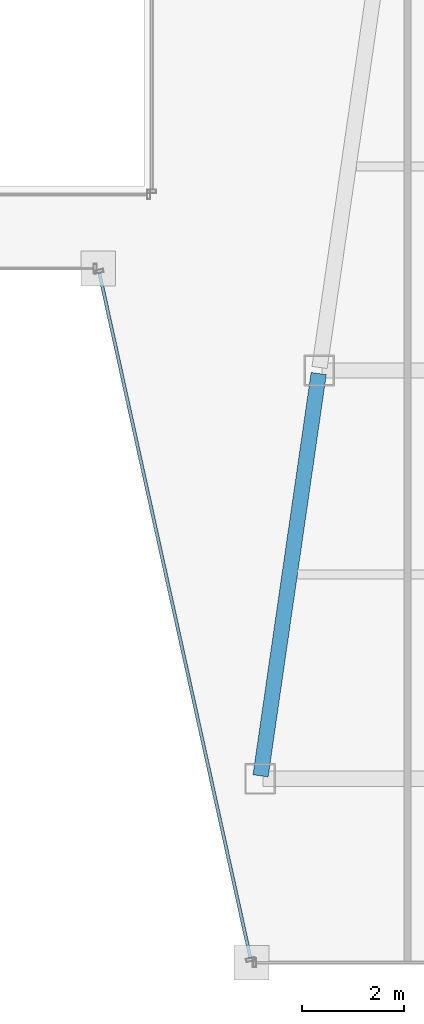
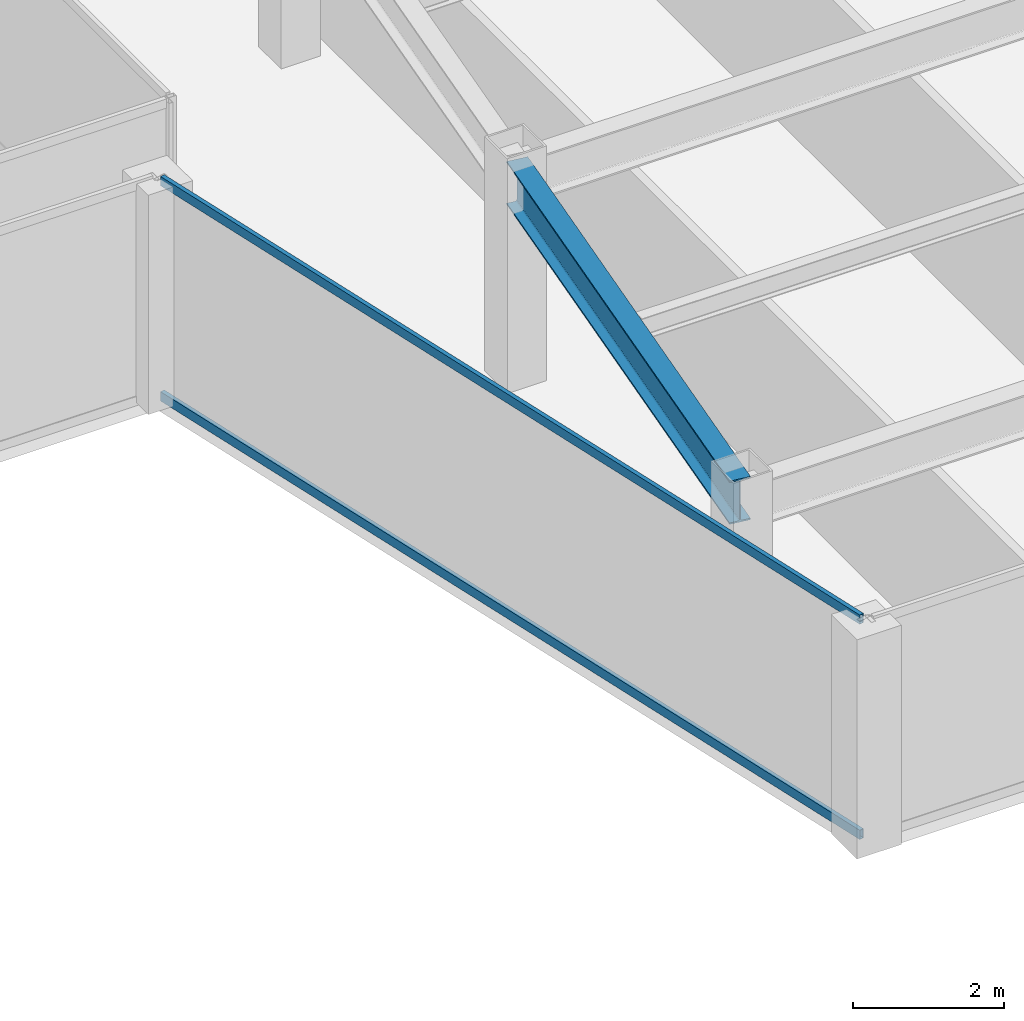
# One storey, part 15 of 36: 2 members, 1 beam, 1 element without a shape of its own.
"""IFC4 building model written with IfcOpenShell, lengths in metres."""

from ifc_helpers import new_model, si_unit, direction, frame, origin, origin_2d, place, context, subcontext, project, spatial, hollow_rectangle, i_section, extrude, material, material_profile, profile_set, type_object, element, aggregate, save


model = new_model("IFC4")

# Units and contexts
model_context = context("Model", 3, precision=1e-05, world=origin(), true_north=direction((0.0, 1.0)))
body_context = subcontext(model_context, "Body", "Model", "MODEL_VIEW")
ifc_project = project(units=[si_unit("LENGTHUNIT", "METRE"), si_unit("AREAUNIT", "SQUARE_METRE"), si_unit("VOLUMEUNIT", "CUBIC_METRE"), si_unit("PLANEANGLEUNIT", "RADIAN"), si_unit("MASSUNIT", "GRAM", prefix="KILO")], contexts=[model_context])

# Site, building, storey
site_placement = place(None, origin())
site = spatial("IfcSite", under=ifc_project, at=site_placement, CompositionType="ELEMENT")
building_placement = place(site_placement, origin())
building = spatial("IfcBuilding", under=site, at=building_placement, Name="Saevonmaru Cultural Tower", CompositionType="ELEMENT")
storey_placement = place(building_placement, frame((0.0, 0.0, 171.39990234375)))
storey = spatial("IfcBuildingStorey", under=building, at=storey_placement, Name="L38", CompositionType="ELEMENT", Elevation=171.39990234375)

# Beam
ifc_material_1 = material(Name="Steel SM355", Category="steel")
ifc_material_profile_1 = material_profile(ifc_material_1, i_section(OverallWidth=0.300048828125, OverallDepth=0.699951171875, WebThickness=0.012939453125, FlangeThickness=0.02392578125, FilletRadius=0.02587890625, at=origin_2d()), Name="H-700x300x13x24")
ifc_profile_set_1 = profile_set([ifc_material_profile_1], Name="Steel SM355")
beam_type = type_object("IfcBeamType", Name="BM-G-H700", PredefinedType="BEAM", material=ifc_profile_set_1)
beam_placement = place(storey_placement, frame((38.08056640625, 16.059326171875, 3.2001953125), z_axis=(0.143022161059, 0.989719486241, 0.0), x_axis=(-0.989719486241, 0.143022161059, 0.0)))
element("IfcBeam", 1, at=beam_placement, inside=storey, type_object=beam_type, Name="L38 East Atrium Girder 1", PredefinedType="BEAM", context=body_context, shape_type="SweptSolid", body=[
    extrude(i_section(OverallWidth=0.300048828125, OverallDepth=0.699951171875, WebThickness=0.012939453125, FlangeThickness=0.02392578125, FilletRadius=0.02587890625, at=origin_2d()), origin(), (0.0, 0.0, 1.0), 7.963134765625),
])

# Curtain wall, members
ifc_material_2 = material(Name="Satin Bronze Anodised Aluminium", Category="aluminium")
curtain_wall_type = type_object("IfcCurtainWallType", Name="CW-TYP-A", PredefinedType="NOTDEFINED", material=ifc_material_2)
curtain_wall_placement = place(storey_placement, origin())
curtain_wall = element("IfcCurtainWall", 2, at=curtain_wall_placement, inside=storey, type_object=curtain_wall_type, Name="L38 Unitised Curtain Wall E5", PredefinedType="NOTDEFINED")
ifc_material_profile_2 = material_profile(ifc_material_2, hollow_rectangle(XDim=0.06494140625, YDim=0.14990234375, WallThickness=0.00390625, at=origin_2d()), Name="ALU-TRAN-150x65x4")
ifc_profile_set_2 = profile_set([ifc_material_profile_2], Name="Satin Bronze Anodised Aluminium")
member_type = type_object("IfcMemberType", Name="TR-CW-150x65", PredefinedType="USERDEFINED", material=ifc_profile_set_2)
member_1_placement = place(storey_placement, frame((34.922119140625, 25.90966796875, 0.03271484375), z_axis=(0.21541214732, -0.976523223885, 0.0), x_axis=(0.976523223885, 0.21541214732, 0.0)))
member_1 = element("IfcMember", 3, at=member_1_placement, type_object=member_type, Name="CW-TW-L38-E5 transom 1.1", ObjectType="TRANSOM", PredefinedType="USERDEFINED", context=body_context, shape_type="SweptSolid", body=[
    extrude(hollow_rectangle(XDim=0.06494140625, YDim=0.14990234375, WallThickness=0.00390625, at=origin_2d()), origin(), (0.0, 0.0, 1.0), 13.741943359375),
])
member_2_placement = place(storey_placement, frame((34.922119140625, 25.90966796875, 3.517578125), z_axis=(0.21541214732, -0.976523223885, 0.0), x_axis=(0.976523223885, 0.21541214732, 0.0)))
member_2 = element("IfcMember", 4, at=member_2_placement, type_object=member_type, Name="CW-TW-L38-E5 transom 1.2", ObjectType="TRANSOM", PredefinedType="USERDEFINED", context=body_context, shape_type="SweptSolid", body=[
    extrude(hollow_rectangle(XDim=0.06494140625, YDim=0.14990234375, WallThickness=0.00390625, at=origin_2d()), origin(), (0.0, 0.0, 1.0), 13.741943359375),
])
aggregate(curtain_wall, [member_1, member_2])

save(model, "model.ifc")
